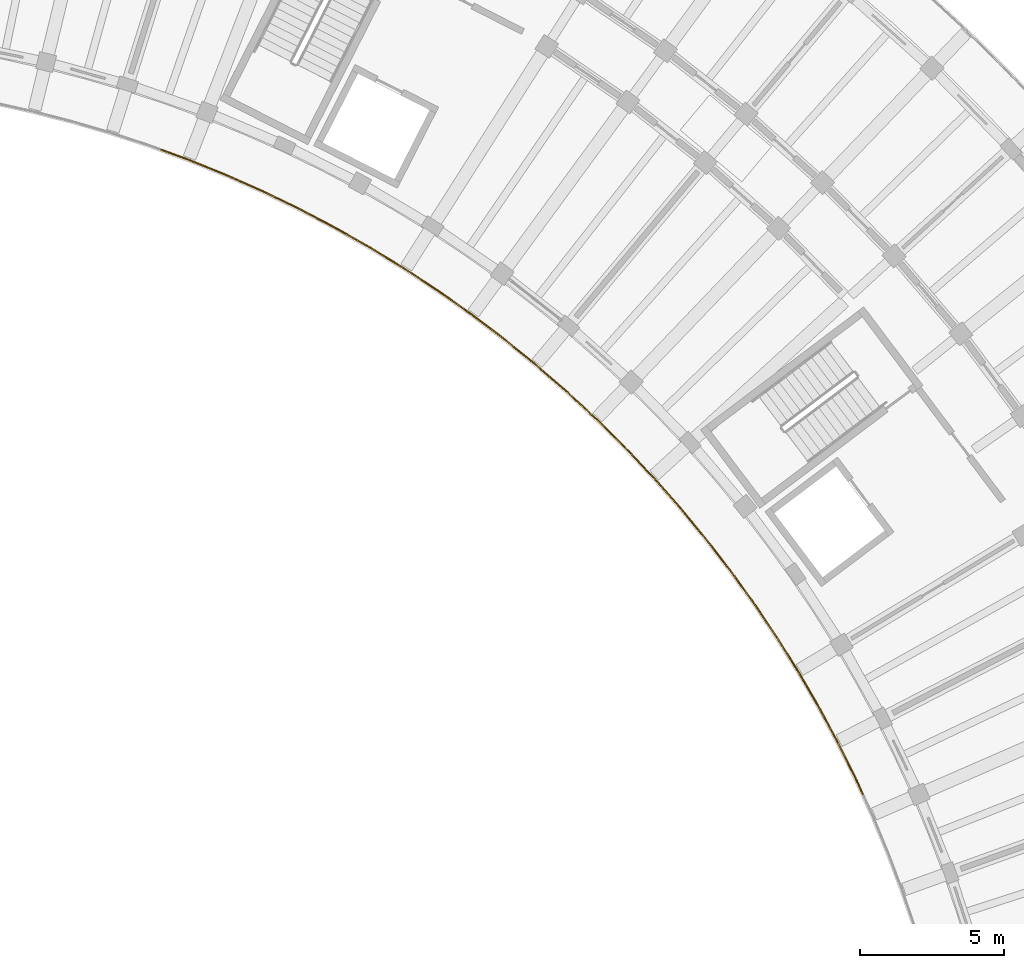
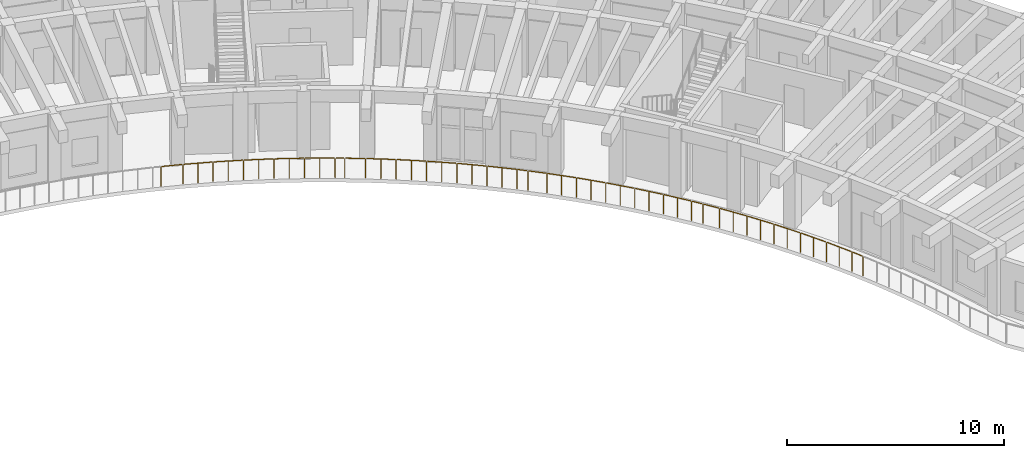
# One storey, part 124 of 128: 4 railings.
"""IFC4 building model written with IfcOpenShell, lengths in metres."""

from ifc_helpers import new_model, si_unit, direction, frame, origin, origin_2d, place, context, subcontext, project, spatial, circle, extrude, material, type_object, element, save


model = new_model("IFC4")

# Units and contexts
model_context = context("Model", 3, precision=1e-05, world=origin(), true_north=direction((0.0, 1.0)))
body_context = subcontext(model_context, "Body", "Model", "MODEL_VIEW")
ifc_project = project(units=[si_unit("LENGTHUNIT", "METRE"), si_unit("AREAUNIT", "SQUARE_METRE"), si_unit("VOLUMEUNIT", "CUBIC_METRE"), si_unit("PLANEANGLEUNIT", "RADIAN"), si_unit("MASSUNIT", "GRAM", prefix="KILO")], contexts=[model_context])

# Site, building, storey
site_placement = place(None, origin())
site = spatial("IfcSite", under=ifc_project, at=site_placement, CompositionType="ELEMENT")
building_placement = place(site_placement, origin())
building = spatial("IfcBuilding", under=site, at=building_placement, Name="Tanwirah Colonnade Gardens", CompositionType="ELEMENT")
storey_placement = place(building_placement, frame((0.0, 0.0, 4.760009765625)))
storey = spatial("IfcBuildingStorey", under=building, at=storey_placement, Name="L01", CompositionType="ELEMENT", Elevation=4.760009765625)

# Railings
ifc_material = material(Name="Precast concrete C40/50", Category="concrete")
railing_type = type_object("IfcRailingType", Name="BAL-EXT112", PredefinedType="BALUSTRADE", material=ifc_material)
railing_1_placement = place(storey_placement, frame((159.798095703125, 77.970947265625, 0.0)))
element("IfcRailing", 1, at=railing_1_placement, inside=storey, type_object=railing_type, Name="Block B L01 Balcony Ribbon Balustrade 2", PredefinedType="BALUSTRADE", context=body_context, shape_type="SweptSolid", body=[
    extrude(circle(Radius=0.02392578125, at=origin_2d()), frame((-0.012939453125, 0.028564453125, 1.09619140625), z_axis=(-0.414662350761, 0.909975348491, 0.0), x_axis=(-0.909975348491, -0.414662350761, 0.0)), (0.0, 0.0, 1.0), 0.55810546875),
    extrude(circle(Radius=0.02392578125, at=origin_2d()), frame((-0.2724609375, 0.59521484375, 1.09619140625), z_axis=(-0.444499692011, 0.895779003885, 0.0), x_axis=(-0.895779003885, -0.444499692011, 0.0)), (0.0, 0.0, 1.0), 1.341796875),
    extrude(circle(Radius=0.02392578125, at=origin_2d()), frame((-0.89892578125, 1.85498046875, 1.09619140625), z_axis=(-0.473716211853, 0.880677552018, 0.0), x_axis=(-0.880677552018, -0.473716211853, 0.0)), (0.0, 0.0, 1.0), 1.341796875),
    extrude(circle(Radius=0.02392578125, at=origin_2d()), frame((-1.566162109375, 3.093505859375, 1.09619140625), z_axis=(-0.502378729104, 0.864647681165, 0.0), x_axis=(-0.864647681165, -0.502378729104, 0.0)), (0.0, 0.0, 1.0), 1.342041015625),
    extrude(circle(Radius=0.02392578125, at=origin_2d()), frame((-2.274169921875, 4.3095703125, 1.09619140625), z_axis=(-0.530764445851, 0.847519382091, 0.0), x_axis=(-0.847519382091, -0.530764445851, 0.0)), (0.0, 0.0, 1.0), 1.341796875),
    extrude(circle(Radius=0.02392578125, at=origin_2d()), frame((-3.02197265625, 5.501220703125, 1.09619140625), z_axis=(-0.558385571779, 0.829581553091, 0.0), x_axis=(-0.829581553091, -0.558385571779, 0.0)), (0.0, 0.0, 1.0), 1.341796875),
    extrude(circle(Radius=0.02392578125, at=origin_2d()), frame((-3.808349609375, 6.66796875, 1.09619140625), z_axis=(-0.585427031638, 0.810725101763, 0.0), x_axis=(-0.810725101763, -0.585427031638, 0.0)), (0.0, 0.0, 1.0), 0.779541015625),
    extrude(circle(Radius=0.02099609375, at=origin_2d()), origin(), (0.0, 0.0, 1.0), 1.069091796875),
    extrude(circle(Radius=0.02099609375, at=origin_2d()), frame((-0.25732421875, 0.564697265625, 0.0)), (0.0, 0.0, 1.0), 1.069091796875),
    extrude(circle(Radius=0.02099609375, at=origin_2d()), frame((-0.57080078125, 1.1962890625, 0.0)), (0.0, 0.0, 1.0), 1.069091796875),
    extrude(circle(Radius=0.02099609375, at=origin_2d()), frame((-0.8828125, 1.8251953125, 0.0)), (0.0, 0.0, 1.0), 1.069091796875),
    extrude(circle(Radius=0.02099609375, at=origin_2d()), frame((-1.216796875, 2.44580078125, 0.0)), (0.0, 0.0, 1.0), 1.069091796875),
    extrude(circle(Radius=0.02099609375, at=origin_2d()), frame((-1.54931640625, 3.064208984375, 0.0)), (0.0, 0.0, 1.0), 1.069091796875),
    extrude(circle(Radius=0.02099609375, at=origin_2d()), frame((-1.9033203125, 3.673583984375, 0.0)), (0.0, 0.0, 1.0), 1.069091796875),
    extrude(circle(Radius=0.02099609375, at=origin_2d()), frame((-2.256103515625, 4.28076171875, 0.0)), (0.0, 0.0, 1.0), 1.069091796875),
    extrude(circle(Radius=0.02099609375, at=origin_2d()), frame((-2.63037109375, 4.8779296875, 0.0)), (0.0, 0.0, 1.0), 1.069091796875),
    extrude(circle(Radius=0.02099609375, at=origin_2d()), frame((-3.0029296875, 5.47314453125, 0.0)), (0.0, 0.0, 1.0), 1.069091796875),
    extrude(circle(Radius=0.02099609375, at=origin_2d()), frame((-3.396484375, 6.057861328125, 0.0)), (0.0, 0.0, 1.0), 1.069091796875),
    extrude(circle(Radius=0.02099609375, at=origin_2d()), frame((-3.78857421875, 6.640380859375, 0.0)), (0.0, 0.0, 1.0), 1.069091796875),
    extrude(circle(Radius=0.02099609375, at=origin_2d()), frame((-4.282958984375, 7.3251953125, 0.0)), (0.0, 0.0, 1.0), 1.069091796875),
])
railing_2_placement = place(storey_placement, frame((155.51513671875, 85.296142578125, 0.0)))
element("IfcRailing", 2, at=railing_2_placement, inside=storey, type_object=railing_type, Name="Block B L01 Balcony Ribbon Balustrade 3", PredefinedType="BALUSTRADE", context=body_context, shape_type="SweptSolid", body=[
    extrude(circle(Radius=0.02392578125, at=origin_2d()), frame((-0.018310546875, 0.025390625, 1.09619140625), z_axis=(-0.585664903779, 0.810553280471, 0.0), x_axis=(-0.810553280471, -0.585664903779, 0.0)), (0.0, 0.0, 1.0), 0.499755859375),
    extrude(circle(Radius=0.02392578125, at=origin_2d()), frame((-0.349853515625, 0.482666015625, 1.09619140625), z_axis=(-0.611783903817, 0.791024939576, 0.0), x_axis=(-0.791024939576, -0.611783903817, 0.0)), (0.0, 0.0, 1.0), 1.341796875),
    extrude(circle(Radius=0.02392578125, at=origin_2d()), frame((-1.211669921875, 1.594970703125, 1.09619140625), z_axis=(-0.637581943595, 0.770382544715, 0.0), x_axis=(-0.770382544715, -0.637581943595, 0.0)), (0.0, 0.0, 1.0), 1.342041015625),
    extrude(circle(Radius=0.02392578125, at=origin_2d()), frame((-2.109619140625, 2.67822265625, 1.09619140625), z_axis=(-0.662581384852, 0.748989925464, 0.0), x_axis=(-0.748989925464, -0.662581384852, 0.0)), (0.0, 0.0, 1.0), 1.341796875),
    extrude(circle(Radius=0.02392578125, at=origin_2d()), frame((-3.04248046875, 3.731201171875, 1.09619140625), z_axis=(-0.687011382404, 0.726646654466, 0.0), x_axis=(-0.726646654466, -0.687011382404, 0.0)), (0.0, 0.0, 1.0), 1.341796875),
    extrude(circle(Radius=0.02392578125, at=origin_2d()), frame((-4.009765625, 4.7529296875, 1.09619140625), z_axis=(-0.710488556831, 0.703708754111, 0.0), x_axis=(-0.703708754111, -0.710488556831, 0.0)), (0.0, 0.0, 1.0), 1.341796875),
    extrude(circle(Radius=0.02392578125, at=origin_2d()), frame((-5.01025390625, 5.7421875, 1.09619140625), z_axis=(-0.733450086442, 0.67974331236, 0.0), x_axis=(-0.67974331236, -0.733450086442, 0.0)), (0.0, 0.0, 1.0), 0.837646484375),
    extrude(circle(Radius=0.02099609375, at=origin_2d()), origin(), (0.0, 0.0, 1.0), 1.069091796875),
    extrude(circle(Radius=0.02099609375, at=origin_2d()), frame((-0.329345703125, 0.455810546875, 0.0)), (0.0, 0.0, 1.0), 1.069091796875),
    extrude(circle(Radius=0.02099609375, at=origin_2d()), frame((-0.76025390625, 1.013427734375, 0.0)), (0.0, 0.0, 1.0), 1.069091796875),
    extrude(circle(Radius=0.02099609375, at=origin_2d()), frame((-1.18994140625, 1.56884765625, 0.0)), (0.0, 0.0, 1.0), 1.069091796875),
    extrude(circle(Radius=0.02099609375, at=origin_2d()), frame((-1.639404296875, 2.11181640625, 0.0)), (0.0, 0.0, 1.0), 1.069091796875),
    extrude(circle(Radius=0.02099609375, at=origin_2d()), frame((-2.087158203125, 2.65283203125, 0.0)), (0.0, 0.0, 1.0), 1.069091796875),
    extrude(circle(Radius=0.02099609375, at=origin_2d()), frame((-2.55419921875, 3.1806640625, 0.0)), (0.0, 0.0, 1.0), 1.069091796875),
    extrude(circle(Radius=0.02099609375, at=origin_2d()), frame((-3.019287109375, 3.70654296875, 0.0)), (0.0, 0.0, 1.0), 1.069091796875),
    extrude(circle(Radius=0.02099609375, at=origin_2d()), frame((-3.50341796875, 4.21875, 0.0)), (0.0, 0.0, 1.0), 1.069091796875),
    extrude(circle(Radius=0.02099609375, at=origin_2d()), frame((-3.98583984375, 4.72900390625, 0.0)), (0.0, 0.0, 1.0), 1.069091796875),
    extrude(circle(Radius=0.02099609375, at=origin_2d()), frame((-4.486328125, 5.22509765625, 0.0)), (0.0, 0.0, 1.0), 1.069091796875),
    extrude(circle(Radius=0.02099609375, at=origin_2d()), frame((-4.9853515625, 5.71923828125, 0.0)), (0.0, 0.0, 1.0), 1.069091796875),
    extrude(circle(Radius=0.02099609375, at=origin_2d()), frame((-5.6474609375, 6.332763671875, 0.0)), (0.0, 0.0, 1.0), 1.069091796875),
])
railing_3_placement = place(storey_placement, frame((149.86767578125, 91.62890625, 0.0)))
element("IfcRailing", 3, at=railing_3_placement, inside=storey, type_object=railing_type, Name="Block B L01 Balcony Ribbon Balustrade 4", PredefinedType="BALUSTRADE", context=body_context, shape_type="SweptSolid", body=[
    extrude(circle(Radius=0.02392578125, at=origin_2d()), frame((-0.02294921875, 0.021240234375, 1.09619140625), z_axis=(-0.733224282582, 0.679986875926, 0.0), x_axis=(-0.679986875926, -0.733224282582, 0.0)), (0.0, 0.0, 1.0), 0.44189453125),
    extrude(circle(Radius=0.02392578125, at=origin_2d()), frame((-0.3955078125, 0.365234375, 1.09619140625), z_axis=(-0.755402192857, 0.655261418845, 0.0), x_axis=(-0.655261418845, -0.755402192857, 0.0)), (0.0, 0.0, 1.0), 1.341796875),
    extrude(circle(Radius=0.02392578125, at=origin_2d()), frame((-1.458740234375, 1.286376953125, 1.09619140625), z_axis=(-0.776491375378, 0.630127879056, 0.0), x_axis=(-0.630127879056, -0.776491375378, 0.0)), (0.0, 0.0, 1.0), 1.342041015625),
    extrude(circle(Radius=0.02392578125, at=origin_2d()), frame((-2.552001953125, 2.171875, 1.09619140625), z_axis=(-0.796818244666, 0.604219070344, 0.0), x_axis=(-0.604219070344, -0.796818244666, 0.0)), (0.0, 0.0, 1.0), 1.342041015625),
    extrude(circle(Radius=0.02392578125, at=origin_2d()), frame((-3.674072265625, 3.021240234375, 1.09619140625), z_axis=(-0.816321661452, 0.577597563226, 0.0), x_axis=(-0.577597563226, -0.816321661452, 0.0)), (0.0, 0.0, 1.0), 1.341552734375),
    extrude(circle(Radius=0.02392578125, at=origin_2d()), frame((-4.822998046875, 3.832763671875, 1.09619140625), z_axis=(-0.834927342507, 0.550360184547, 0.0), x_axis=(-0.550360184547, -0.834927342507, 0.0)), (0.0, 0.0, 1.0), 1.341796875),
    extrude(circle(Radius=0.02392578125, at=origin_2d()), frame((-5.998291015625, 4.606201171875, 1.09619140625), z_axis=(-0.852645184943, 0.522490371771, 0.0), x_axis=(-0.522490371771, -0.852645184943, 0.0)), (0.0, 0.0, 1.0), 0.895751953125),
    extrude(circle(Radius=0.02099609375, at=origin_2d()), origin(), (0.0, 0.0, 1.0), 1.069091796875),
    extrude(circle(Radius=0.02099609375, at=origin_2d()), frame((-0.369873046875, 0.343017578125, 0.0)), (0.0, 0.0, 1.0), 1.069091796875),
    extrude(circle(Radius=0.02099609375, at=origin_2d()), frame((-0.90234375, 0.8046875, 0.0)), (0.0, 0.0, 1.0), 1.069091796875),
    extrude(circle(Radius=0.02099609375, at=origin_2d()), frame((-1.4326171875, 1.264892578125, 0.0)), (0.0, 0.0, 1.0), 1.069091796875),
    extrude(circle(Radius=0.02099609375, at=origin_2d()), frame((-1.97998046875, 1.708984375, 0.0)), (0.0, 0.0, 1.0), 1.069091796875),
    extrude(circle(Radius=0.02099609375, at=origin_2d()), frame((-2.525146484375, 2.151611328125, 0.0)), (0.0, 0.0, 1.0), 1.069091796875),
    extrude(circle(Radius=0.02099609375, at=origin_2d()), frame((-3.086669921875, 2.577392578125, 0.0)), (0.0, 0.0, 1.0), 1.069091796875),
    extrude(circle(Radius=0.02099609375, at=origin_2d()), frame((-3.646240234375, 3.001708984375, 0.0)), (0.0, 0.0, 1.0), 1.069091796875),
    extrude(circle(Radius=0.02099609375, at=origin_2d()), frame((-4.2216796875, 3.40869140625, 0.0)), (0.0, 0.0, 1.0), 1.069091796875),
    extrude(circle(Radius=0.02099609375, at=origin_2d()), frame((-4.794677734375, 3.814208984375, 0.0)), (0.0, 0.0, 1.0), 1.069091796875),
    extrude(circle(Radius=0.02099609375, at=origin_2d()), frame((-5.38330078125, 4.2021484375, 0.0)), (0.0, 0.0, 1.0), 1.069091796875),
    extrude(circle(Radius=0.02099609375, at=origin_2d()), frame((-5.969482421875, 4.588623046875, 0.0)), (0.0, 0.0, 1.0), 1.069091796875),
    extrude(circle(Radius=0.02099609375, at=origin_2d()), frame((-6.788818359375, 5.090576171875, 0.0)), (0.0, 0.0, 1.0), 1.069091796875),
])
railing_4_placement = place(storey_placement, frame((143.078857421875, 96.719482421875, 0.0)))
element("IfcRailing", 4, at=railing_4_placement, inside=storey, type_object=railing_type, Name="Block B L01 Balcony Ribbon Balustrade 5", PredefinedType="BALUSTRADE", context=body_context, shape_type="SweptSolid", body=[
    extrude(circle(Radius=0.02392578125, at=origin_2d()), frame((-0.026611328125, 0.016357421875, 1.09619140625), z_axis=(-0.85257765709, 0.522600553608, 0.0), x_axis=(-0.522600553608, -0.85257765709, 0.0)), (0.0, 0.0, 1.0), 0.383544921875),
    extrude(circle(Radius=0.02392578125, at=origin_2d()), frame((-0.40966796875, 0.249755859375, 1.09619140625), z_axis=(-0.869342839865, 0.494209496848, 0.0), x_axis=(-0.494209496848, -0.869342839865, 0.0)), (0.0, 0.0, 1.0), 1.342041015625),
    extrude(circle(Radius=0.02392578125, at=origin_2d()), frame((-1.633544921875, 0.9443359375, 1.09619140625), z_axis=(-0.885204649416, 0.465201814972, 0.0), x_axis=(-0.465201814972, -0.885204649416, 0.0)), (0.0, 0.0, 1.0), 1.341796875),
    extrude(circle(Radius=0.02392578125, at=origin_2d()), frame((-2.87939453125, 1.597900390625, 1.09619140625), z_axis=(-0.900124070825, 0.43563362717, 0.0), x_axis=(-0.43563362717, -0.900124070825, 0.0)), (0.0, 0.0, 1.0), 1.341796875),
    extrude(circle(Radius=0.02392578125, at=origin_2d()), frame((-4.146240234375, 2.2099609375, 1.09619140625), z_axis=(-0.913997826773, 0.40571908096, 0.0), x_axis=(-0.40571908096, -0.913997826773, 0.0)), (0.0, 0.0, 1.0), 1.342041015625),
    extrude(circle(Radius=0.02392578125, at=origin_2d()), frame((-5.4326171875, 2.77978515625, 1.09619140625), z_axis=(-0.92683738147, 0.375463005247, 0.0), x_axis=(-0.375463005247, -0.92683738147, 0.0)), (0.0, 0.0, 1.0), 1.342041015625),
    extrude(circle(Radius=0.02392578125, at=origin_2d()), frame((-6.737060546875, 3.30712890625, 1.09619140625), z_axis=(-0.938687215578, 0.344769939686, 0.0), x_axis=(-0.344769939686, -0.938687215578, 0.0)), (0.0, 0.0, 1.0), 0.95361328125),
    extrude(circle(Radius=0.02099609375, at=origin_2d()), origin(), (0.0, 0.0, 1.0), 1.069091796875),
    extrude(circle(Radius=0.02099609375, at=origin_2d()), frame((-0.38037109375, 0.233154296875, 0.0)), (0.0, 0.0, 1.0), 1.069091796875),
    extrude(circle(Radius=0.02099609375, at=origin_2d()), frame((-0.9931640625, 0.58154296875, 0.0)), (0.0, 0.0, 1.0), 1.069091796875),
    extrude(circle(Radius=0.02099609375, at=origin_2d()), frame((-1.603515625, 0.928466796875, 0.0)), (0.0, 0.0, 1.0), 1.069091796875),
    extrude(circle(Radius=0.02099609375, at=origin_2d()), frame((-2.2275390625, 1.25634765625, 0.0)), (0.0, 0.0, 1.0), 1.069091796875),
    extrude(circle(Radius=0.02099609375, at=origin_2d()), frame((-2.84912109375, 1.5830078125, 0.0)), (0.0, 0.0, 1.0), 1.069091796875),
    extrude(circle(Radius=0.02099609375, at=origin_2d()), frame((-3.4833984375, 1.89013671875, 0.0)), (0.0, 0.0, 1.0), 1.069091796875),
    extrude(circle(Radius=0.02099609375, at=origin_2d()), frame((-4.115478515625, 2.196044921875, 0.0)), (0.0, 0.0, 1.0), 1.069091796875),
    extrude(circle(Radius=0.02099609375, at=origin_2d()), frame((-4.759521484375, 2.482177734375, 0.0)), (0.0, 0.0, 1.0), 1.069091796875),
    extrude(circle(Radius=0.02099609375, at=origin_2d()), frame((-5.4013671875, 2.76708984375, 0.0)), (0.0, 0.0, 1.0), 1.069091796875),
    extrude(circle(Radius=0.02099609375, at=origin_2d()), frame((-6.054443359375, 3.03173828125, 0.0)), (0.0, 0.0, 1.0), 1.069091796875),
    extrude(circle(Radius=0.02099609375, at=origin_2d()), frame((-6.705322265625, 3.29541015625, 0.0)), (0.0, 0.0, 1.0), 1.069091796875),
    extrude(circle(Radius=0.02099609375, at=origin_2d()), frame((-7.66162109375, 3.646728515625, 0.0)), (0.0, 0.0, 1.0), 1.069091796875),
])

save(model, "model.ifc")
